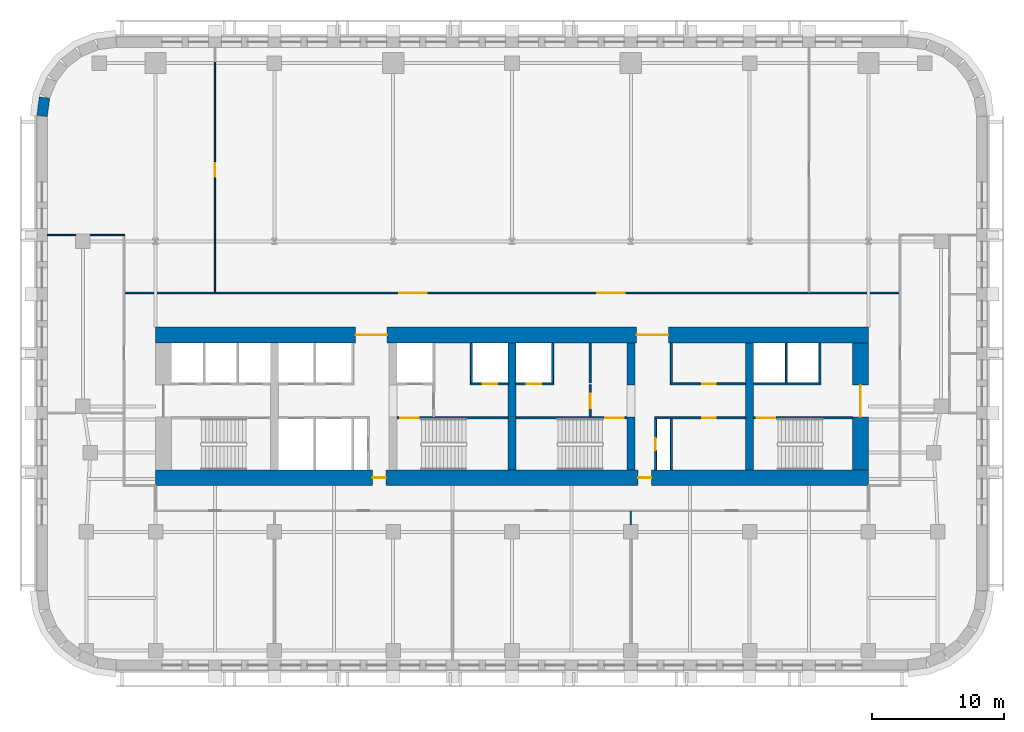
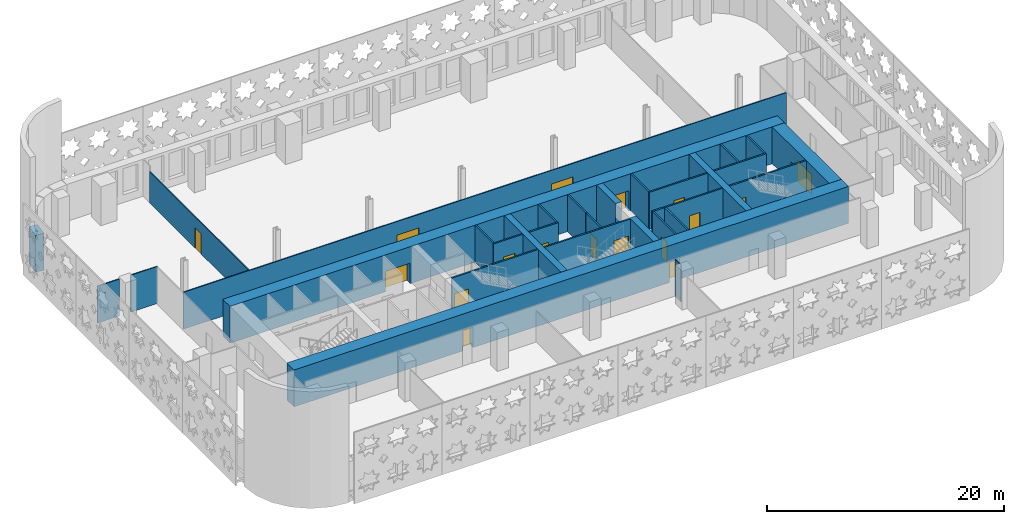
# One storey, part 5 of 13: 30 walls, 17 doors, 17 openings.
"""IFC4 building model written with IfcOpenShell, lengths in metres."""

from ifc_helpers import new_model, si_unit, direction, frame, frame_2d, origin, place, context, subcontext, project, spatial, rectangle, extrude, material, layer, layer_set, type_object, element, fill, save


model = new_model("IFC4")

# Units and contexts
model_context = context("Model", 3, precision=1e-05, world=origin(), true_north=direction((0.0, 1.0)))
body_context = subcontext(model_context, "Body", "Model", "MODEL_VIEW")
ifc_project = project(units=[si_unit("LENGTHUNIT", "METRE"), si_unit("AREAUNIT", "SQUARE_METRE"), si_unit("VOLUMEUNIT", "CUBIC_METRE"), si_unit("PLANEANGLEUNIT", "RADIAN"), si_unit("MASSUNIT", "GRAM", prefix="KILO")], contexts=[model_context])

# Site, building, storey
site_placement = place(None, origin())
site = spatial("IfcSite", under=ifc_project, at=site_placement, CompositionType="ELEMENT")
building_placement = place(site_placement, origin())
building = spatial("IfcBuilding", under=site, at=building_placement, Name="Zellij Exchange Tower", CompositionType="ELEMENT")
storey_placement = place(building_placement, frame((0.0, 0.0, 52.5)))
storey = spatial("IfcBuildingStorey", under=building, at=storey_placement, Name="L09", CompositionType="ELEMENT", Elevation=52.5)

# Walls
ifc_material_1 = material(Name="Concrete C70/85", Category="concrete")
ifc_layer_1 = layer(ifc_material_1, 0.60009765625)
ifc_layer_set_1 = layer_set([ifc_layer_1], Name="Concrete C70/85")
wall_type_1 = type_object("IfcWallType", Name="CORE-CW 600 C70/85", PredefinedType="SHEAR", material=ifc_layer_set_1)
wall_1_placement = place(storey_placement, frame((0.0, -12.800048828125, 0.0), z_axis=(0.0, 0.0, 1.0), x_axis=(0.0, 1.0, 0.0)))
element("IfcWall", 1, at=wall_1_placement, inside=storey, type_object=wall_type_1, Name="Core cross wall x 0 L09", PredefinedType="SHEAR", context=body_context, shape_type="SweptSolid", body=[
    extrude(rectangle(XDim=9.60009765625, YDim=0.60009765625, at=frame_2d((4.800048828125, 0.0))), origin(), (0.0, 0.0, 1.0), 3.800048828125),
])
wall_2_placement = place(storey_placement, frame((9.0, -12.800048828125, 0.0), z_axis=(0.0, 0.0, 1.0), x_axis=(0.0, 1.0, 0.0)))
element("IfcWall", 2, at=wall_2_placement, inside=storey, type_object=wall_type_1, Name="Core cross wall pier x 9 a L09", PredefinedType="SHEAR", context=body_context, shape_type="SweptSolid", body=[
    extrude(rectangle(XDim=4.0, YDim=0.60009765625, at=frame_2d((2.0, 0.0))), origin(), (0.0, 0.0, 1.0), 3.800048828125),
])
wall_3_placement = place(storey_placement, frame((9.0, -6.375, 0.0), z_axis=(0.0, 0.0, 1.0), x_axis=(0.0, 1.0, 0.0)))
element("IfcWall", 3, at=wall_3_placement, inside=storey, type_object=wall_type_1, Name="Core cross wall pier x 9 b L09", PredefinedType="SHEAR", context=body_context, shape_type="SweptSolid", body=[
    extrude(rectangle(XDim=3.175048828125, YDim=0.60009765625, at=frame_2d((1.58740234375, 0.0))), origin(), (0.0, 0.0, 1.0), 3.800048828125),
])
wall_4_placement = place(storey_placement, frame((18.0, -12.800048828125, 0.0), z_axis=(0.0, 0.0, 1.0), x_axis=(0.0, 1.0, 0.0)))
element("IfcWall", 4, at=wall_4_placement, inside=storey, type_object=wall_type_1, Name="Core cross wall x 18 L09", PredefinedType="SHEAR", context=body_context, shape_type="SweptSolid", body=[
    extrude(rectangle(XDim=9.60009765625, YDim=0.60009765625, at=frame_2d((4.800048828125, 0.0))), origin(), (0.0, 0.0, 1.0), 3.800048828125),
])

# Wall, opening, door
ifc_material_2 = material(Name="Gypsum shaft wall system")
ifc_layer_2 = layer(ifc_material_2, 0.14990234375)
ifc_layer_set_2 = layer_set([ifc_layer_2], Name="Gypsum shaft wall system")
wall_type_2 = type_object("IfcWallType", Name="CORE-PW 150 Firefighting lobby wall", PredefinedType="PARTITIONING", material=ifc_layer_set_2)
wall_5_placement = place(storey_placement, frame((5.925048828125, -8.800048828125, 0.0), z_axis=(0.0, 0.0, 1.0), x_axis=(0.0, 1.0, 0.0)))
wall_5 = element("IfcWall", 5, at=wall_5_placement, inside=storey, type_object=wall_type_2, Name="Firefighting lobby wall L09", PredefinedType="PARTITIONING", context=body_context, shape_type="SweptSolid", body=[
    extrude(rectangle(XDim=2.425048828125, YDim=0.14990234375, at=frame_2d((1.21240234375, 0.0))), origin(), (0.0, 0.0, 1.0), 3.800048828125),
])
opening_1_placement = place(wall_5_placement, frame((0.662109375, 0.0, 0.0)))
opening_1 = element("IfcOpeningElement", 6, at=opening_1_placement, cuts=wall_5, Name="Opening CA-07.18", PredefinedType="OPENING", context=body_context, shape_type="SweptSolid", body=[
    extrude(rectangle(XDim=1.10009765625, YDim=2.10009765625, at=frame_2d((0.550048828125, 1.050048828125))), frame((0.0, 0.0869140625, 0.0), z_axis=(0.0, -1.0, 0.0), x_axis=(1.0, 0.0, 0.0)), (0.0, 0.0, 1.0), 0.173828125),
])
ifc_material_3 = material(Name="Hollow metal fire door")
door_type_1 = type_object("IfcDoorType", Name="CORE-D F Firefighting lobby door 1100x2100 1 HR", OperationType="NOTDEFINED", PredefinedType="DOOR", material=ifc_material_3)
door_1_placement = place(opening_1_placement, origin())
door_1 = element("IfcDoor", 7, at=door_1_placement, inside=storey, type_object=door_type_1, Name="Firefighting lobby door CA-07.18", OperationType="SINGLE_SWING_RIGHT", OverallHeight=2.10009765625, OverallWidth=1.10009765625, PredefinedType="DOOR", context=body_context, shape_type="SweptSolid", body=[
    extrude(rectangle(XDim=1.10009765625, YDim=2.10009765625, at=frame_2d((0.550048828125, 1.050048828125))), frame((0.0, 0.02490234375, 0.0), z_axis=(0.0, -1.0, 0.0), x_axis=(1.0, 0.0, 0.0)), (0.0, 0.0, 1.0), 0.050048828125),
])
fill(opening_1, door_1)

# Walls
ifc_material_4 = material(Name="Gypsum board partition")
ifc_layer_3 = layer(ifc_material_4, 0.14990234375)
ifc_layer_set_3 = layer_set([ifc_layer_3], Name="Gypsum board partition")
wall_type_3 = type_object("IfcWallType", Name="CORE-PW 150 Lift lobby wall", PredefinedType="PARTITIONING", material=ifc_layer_set_3)
for number, where, z_axis, x_axis, name in (
    (8, (5.925048828125, -6.22509765625, 0.0), (0.0, 0.0, 1.0), (0.0, 1.0, 0.0), "Lift lobby wall L09"),
    (9, (12.074951171875, -6.22509765625, 0.0), (0.0, 0.0, 1.0), (0.0, 1.0, 0.0), "Lift lobby wall L09"),
):
    element("IfcWall", number, at=place(storey_placement, frame(where, z_axis=z_axis, x_axis=x_axis)), inside=storey, type_object=wall_type_3, Name=name, PredefinedType="PARTITIONING", context=body_context, shape_type="SweptSolid", body=[
        extrude(rectangle(XDim=3.025146484375, YDim=0.14990234375, at=frame_2d((1.5126953125, 0.0))), origin(), (0.0, 0.0, 1.0), 3.800048828125),
    ])

# Wall, opening, door
wall_6_placement = place(storey_placement, frame((10.875, -12.800048828125, 0.0), z_axis=(0.0, 0.0, 1.0), x_axis=(0.0, 1.0, 0.0)))
wall_6 = element("IfcWall", 10, at=wall_6_placement, inside=storey, type_object=wall_type_3, Name="Lift lobby wall L09", PredefinedType="PARTITIONING", context=body_context, shape_type="SweptSolid", body=[
    extrude(rectangle(XDim=3.85009765625, YDim=0.14990234375, at=frame_2d((1.925048828125, 0.0))), origin(), (0.0, 0.0, 1.0), 3.800048828125),
])
opening_2_placement = place(wall_6_placement, frame((1.47509765625, 0.0, 0.0)))
opening_2 = element("IfcOpeningElement", 11, at=opening_2_placement, cuts=wall_6, Name="Opening CA-07.22", PredefinedType="OPENING", context=body_context, shape_type="SweptSolid", body=[
    extrude(rectangle(XDim=0.89990234375, YDim=2.10009765625, at=frame_2d((0.449951171875, 1.050048828125))), frame((0.0, 0.0869140625, 0.0), z_axis=(0.0, -1.0, 0.0), x_axis=(1.0, 0.0, 0.0)), (0.0, 0.0, 1.0), 0.173828125),
])
door_type_2 = type_object("IfcDoorType", Name="CORE-D RD Riser door 900x2100 1.5 HR", OperationType="NOTDEFINED", PredefinedType="DOOR", material=ifc_material_3)
door_2_placement = place(opening_2_placement, origin())
door_2 = element("IfcDoor", 12, at=door_2_placement, inside=storey, type_object=door_type_2, Name="Riser door CA-07.22", OperationType="SINGLE_SWING_LEFT", OverallHeight=2.10009765625, OverallWidth=0.89990234375, PredefinedType="DOOR", context=body_context, shape_type="SweptSolid", body=[
    extrude(rectangle(XDim=0.89990234375, YDim=2.10009765625, at=frame_2d((0.449951171875, 1.050048828125))), frame((0.0, 0.02490234375, 0.0), z_axis=(0.0, -1.0, 0.0), x_axis=(1.0, 0.0, 0.0)), (0.0, 0.0, 1.0), 0.050048828125),
])
fill(opening_2, door_2)

# Wall
wall_7_placement = place(storey_placement, frame((12.074951171875, -12.800048828125, 0.0), z_axis=(0.0, 0.0, 1.0), x_axis=(0.0, 1.0, 0.0)))
element("IfcWall", 13, at=wall_7_placement, inside=storey, type_object=wall_type_3, Name="Lift lobby wall L09", PredefinedType="PARTITIONING", context=body_context, shape_type="SweptSolid", body=[
    extrude(rectangle(XDim=3.85009765625, YDim=0.14990234375, at=frame_2d((1.925048828125, 0.0))), origin(), (0.0, 0.0, 1.0), 3.800048828125),
])

# Wall, opening, door
wall_8_placement = place(storey_placement, frame((12.0, -6.300048828125, 0.0), z_axis=(0.0, 0.0, 1.0), x_axis=(1.0, 0.0, 0.0)))
wall_8 = element("IfcWall", 14, at=wall_8_placement, inside=storey, type_object=wall_type_3, Name="Lift lobby wall L09", PredefinedType="PARTITIONING", context=body_context, shape_type="SweptSolid", body=[
    extrude(rectangle(XDim=5.699951171875, YDim=0.14990234375, at=frame_2d((2.85009765625, 0.0))), origin(), (0.0, 0.0, 1.0), 3.800048828125),
])
opening_3_placement = place(wall_8_placement, frame((2.425048828125, 0.0, 0.0)))
opening_3 = element("IfcOpeningElement", 15, at=opening_3_placement, cuts=wall_8, Name="Opening CA-07.24", PredefinedType="OPENING", context=body_context, shape_type="SweptSolid", body=[
    extrude(rectangle(XDim=1.0, YDim=2.10009765625, at=frame_2d((0.5, 1.050048828125))), frame((0.0, 0.0869140625, 0.0), z_axis=(0.0, -1.0, 0.0), x_axis=(1.0, 0.0, 0.0)), (0.0, 0.0, 1.0), 0.173828125),
])
door_type_3 = type_object("IfcDoorType", Name="CORE-D CD Core room door 1000x2100 1 HR", OperationType="NOTDEFINED", PredefinedType="DOOR", material=ifc_material_3)
door_3_placement = place(opening_3_placement, origin())
door_3 = element("IfcDoor", 16, at=door_3_placement, inside=storey, type_object=door_type_3, Name="Core room door CA-07.24", OperationType="SINGLE_SWING_RIGHT", OverallHeight=2.10009765625, OverallWidth=1.0, PredefinedType="DOOR", context=body_context, shape_type="SweptSolid", body=[
    extrude(rectangle(XDim=1.0, YDim=2.10009765625, at=frame_2d((0.5, 1.050048828125))), frame((0.0, 0.02490234375, 0.0), z_axis=(0.0, -1.0, 0.0), x_axis=(1.0, 0.0, 0.0)), (0.0, 0.0, 1.0), 0.050048828125),
])
fill(opening_3, door_3)

wall_9_placement = place(storey_placement, frame((10.800048828125, -8.875, 0.0), z_axis=(0.0, 0.0, 1.0), x_axis=(1.0, 0.0, 0.0)))
wall_9 = element("IfcWall", 17, at=wall_9_placement, inside=storey, type_object=wall_type_3, Name="Lift lobby wall L09", PredefinedType="PARTITIONING", context=body_context, shape_type="SweptSolid", body=[
    extrude(rectangle(XDim=6.89990234375, YDim=0.14990234375, at=frame_2d((3.449951171875, 0.0))), origin(), (0.0, 0.0, 1.0), 3.800048828125),
])
opening_4_placement = place(wall_9_placement, frame((3.625, 0.0, 0.0)))
opening_4 = element("IfcOpeningElement", 18, at=opening_4_placement, cuts=wall_9, Name="Opening CA-07.23", PredefinedType="OPENING", context=body_context, shape_type="SweptSolid", body=[
    extrude(rectangle(XDim=1.0, YDim=2.10009765625, at=frame_2d((0.5, 1.050048828125))), frame((0.0, 0.0869140625, 0.0), z_axis=(0.0, -1.0, 0.0), x_axis=(1.0, 0.0, 0.0)), (0.0, 0.0, 1.0), 0.173828125),
])
door_4_placement = place(opening_4_placement, origin())
door_4 = element("IfcDoor", 19, at=door_4_placement, inside=storey, type_object=door_type_3, Name="Core room door CA-07.23", OperationType="SINGLE_SWING_LEFT", OverallHeight=2.10009765625, OverallWidth=1.0, PredefinedType="DOOR", context=body_context, shape_type="SweptSolid", body=[
    extrude(rectangle(XDim=1.0, YDim=2.10009765625, at=frame_2d((0.5, 1.050048828125))), frame((0.0, 0.02490234375, 0.0), z_axis=(0.0, -1.0, 0.0), x_axis=(1.0, 0.0, 0.0)), (0.0, 0.0, 1.0), 0.050048828125),
])
fill(opening_4, door_4)

# Walls
ifc_layer_4 = layer(ifc_material_2, 0.14990234375)
ifc_layer_set_4 = layer_set([ifc_layer_4], Name="Gypsum shaft wall system")
wall_type_4 = type_object("IfcWallType", Name="CORE-PW 150 Lift shaft wall", PredefinedType="PARTITIONING", material=ifc_layer_set_4)
for number, where, z_axis, x_axis, name in (
    (20, (-3.074951171875, -6.22509765625, 0.0), (0.0, 0.0, 1.0), (0.0, 1.0, 0.0), "Lift shaft wall L09"),
    (21, (3.074951171875, -6.22509765625, 0.0), (0.0, 0.0, 1.0), (0.0, 1.0, 0.0), "Lift shaft wall L09"),
    (22, (20.77490234375, -6.22509765625, 0.0), (0.0, 0.0, 1.0), (0.0, 1.0, 0.0), "Lift shaft wall L09"),
    (23, (23.324951171875, -6.22509765625, 0.0), (0.0, 0.0, 1.0), (0.0, 1.0, 0.0), "Lift shaft wall L09"),
):
    element("IfcWall", number, at=place(storey_placement, frame(where, z_axis=z_axis, x_axis=x_axis)), inside=storey, type_object=wall_type_4, Name=name, PredefinedType="PARTITIONING", context=body_context, shape_type="SweptSolid", body=[
        extrude(rectangle(XDim=3.025146484375, YDim=0.14990234375, at=frame_2d((1.5126953125, 0.0))), origin(), (0.0, 0.0, 1.0), 3.800048828125),
    ])

# Wall, opening, door
wall_10_placement = place(storey_placement, frame((-3.14990234375, -6.300048828125, 0.0), z_axis=(0.0, 0.0, 1.0), x_axis=(1.0, 0.0, 0.0)))
wall_10 = element("IfcWall", 24, at=wall_10_placement, inside=storey, type_object=wall_type_4, Name="Lift shaft wall L09", PredefinedType="PARTITIONING", context=body_context, shape_type="SweptSolid", body=[
    extrude(rectangle(XDim=2.849853515625, YDim=0.14990234375, at=frame_2d((1.4248046875, 0.0))), origin(), (0.0, 0.0, 1.0), 3.800048828125),
])
opening_5_placement = place(wall_10_placement, frame((0.949951171875, 0.0, 0.0)))
opening_5 = element("IfcOpeningElement", 25, at=opening_5_placement, cuts=wall_10, Name="Opening CA-07.16", PredefinedType="OPENING", context=body_context, shape_type="SweptSolid", body=[
    extrude(rectangle(XDim=1.10009765625, YDim=2.10009765625, at=frame_2d((0.550048828125, 1.050048828125))), frame((0.0, 0.0869140625, 0.0), z_axis=(0.0, -1.0, 0.0), x_axis=(1.0, 0.0, 0.0)), (0.0, 0.0, 1.0), 0.173828125),
])
door_type_4 = type_object("IfcDoorType", Name="CORE-D LD Lift landing door 1100x2100 1.5 HR", OperationType="NOTDEFINED", PredefinedType="DOOR", material=ifc_material_3)
door_5_placement = place(opening_5_placement, origin())
door_5 = element("IfcDoor", 26, at=door_5_placement, inside=storey, type_object=door_type_4, Name="Lift landing door CA-07.16", OperationType="SLIDING_TO_RIGHT", OverallHeight=2.10009765625, OverallWidth=1.10009765625, PredefinedType="DOOR", context=body_context, shape_type="SweptSolid", body=[
    extrude(rectangle(XDim=1.10009765625, YDim=2.10009765625, at=frame_2d((0.550048828125, 1.050048828125))), frame((0.0, 0.02490234375, 0.0), z_axis=(0.0, -1.0, 0.0), x_axis=(1.0, 0.0, 0.0)), (0.0, 0.0, 1.0), 0.050048828125),
])
fill(opening_5, door_5)

wall_11_placement = place(storey_placement, frame((0.300048828125, -6.300048828125, 0.0), z_axis=(0.0, 0.0, 1.0), x_axis=(1.0, 0.0, 0.0)))
wall_11 = element("IfcWall", 27, at=wall_11_placement, inside=storey, type_object=wall_type_4, Name="Lift shaft wall L09", PredefinedType="PARTITIONING", context=body_context, shape_type="SweptSolid", body=[
    extrude(rectangle(XDim=2.849853515625, YDim=0.14990234375, at=frame_2d((1.4248046875, 0.0))), origin(), (0.0, 0.0, 1.0), 3.800048828125),
])
opening_6_placement = place(wall_11_placement, frame((0.800048828125, 0.0, 0.0)))
opening_6 = element("IfcOpeningElement", 28, at=opening_6_placement, cuts=wall_11, Name="Opening CA-07.17", PredefinedType="OPENING", context=body_context, shape_type="SweptSolid", body=[
    extrude(rectangle(XDim=1.10009765625, YDim=2.10009765625, at=frame_2d((0.550048828125, 1.050048828125))), frame((0.0, 0.0869140625, 0.0), z_axis=(0.0, -1.0, 0.0), x_axis=(1.0, 0.0, 0.0)), (0.0, 0.0, 1.0), 0.173828125),
])
door_6_placement = place(opening_6_placement, origin())
door_6 = element("IfcDoor", 29, at=door_6_placement, inside=storey, type_object=door_type_4, Name="Lift landing door CA-07.17", OperationType="SLIDING_TO_LEFT", OverallHeight=2.10009765625, OverallWidth=1.10009765625, PredefinedType="DOOR", context=body_context, shape_type="SweptSolid", body=[
    extrude(rectangle(XDim=1.10009765625, YDim=2.10009765625, at=frame_2d((0.550048828125, 1.050048828125))), frame((0.0, 0.02490234375, 0.0), z_axis=(0.0, -1.0, 0.0), x_axis=(1.0, 0.0, 0.0)), (0.0, 0.0, 1.0), 0.050048828125),
])
fill(opening_6, door_6)

# Wall
wall_12_placement = place(storey_placement, frame((18.300048828125, -6.300048828125, 0.0), z_axis=(0.0, 0.0, 1.0), x_axis=(1.0, 0.0, 0.0)))
element("IfcWall", 30, at=wall_12_placement, inside=storey, type_object=wall_type_4, Name="Lift shaft wall L09", PredefinedType="PARTITIONING", context=body_context, shape_type="SweptSolid", body=[
    extrude(rectangle(XDim=5.099853515625, YDim=0.14990234375, at=frame_2d((2.5498046875, 0.0))), origin(), (0.0, 0.0, 1.0), 3.800048828125),
])

# Wall, openings, doors
ifc_layer_5 = layer(ifc_material_1, 1.199951171875)
ifc_layer_set_5 = layer_set([ifc_layer_5], Name="Concrete C70/85")
wall_type_5 = type_object("IfcWallType", Name="CORE-SW 1200 C70/85", PredefinedType="SHEAR", material=ifc_layer_set_5)
wall_13_placement = place(storey_placement, frame((-27.0, -2.60009765625, 0.0), z_axis=(0.0, 0.0, 1.0), x_axis=(1.0, 0.0, 0.0)))
wall_13 = element("IfcWall", 31, at=wall_13_placement, inside=storey, type_object=wall_type_5, Name="Core shear wall front L09", PredefinedType="SHEAR", context=body_context, shape_type="SweptSolid", body=[
    extrude(rectangle(XDim=54.0, YDim=1.199951171875, at=frame_2d((27.0, 0.0))), origin(), (0.0, 0.0, 1.0), 3.800048828125),
])
opening_7_placement = place(wall_13_placement, frame((15.14990234375, 0.0, 0.0)))
opening_7 = element("IfcOpeningElement", 32, at=opening_7_placement, cuts=wall_13, Name="Opening CA-07.11", PredefinedType="OPENING", context=body_context, shape_type="SweptSolid", body=[
    extrude(rectangle(XDim=2.39990234375, YDim=2.10009765625, at=frame_2d((1.199951171875, 1.050048828125))), frame((0.0, 0.61181640625, 0.0), z_axis=(0.0, -1.0, 0.0), x_axis=(1.0, 0.0, 0.0)), (0.0, 0.0, 1.0), 1.223876953125),
])
opening_8_placement = place(wall_13_placement, frame((36.449951171875, 0.0, 0.0)))
opening_8 = element("IfcOpeningElement", 33, at=opening_8_placement, cuts=wall_13, Name="Opening CA-07.21", PredefinedType="OPENING", context=body_context, shape_type="SweptSolid", body=[
    extrude(rectangle(XDim=2.39990234375, YDim=2.10009765625, at=frame_2d((1.199951171875, 1.050048828125))), frame((0.0, 0.61181640625, 0.0), z_axis=(0.0, -1.0, 0.0), x_axis=(1.0, 0.0, 0.0)), (0.0, 0.0, 1.0), 1.223876953125),
])
door_type_5 = type_object("IfcDoorType", Name="CORE-D CE Core entrance door 2400x2100 20 MIN", OperationType="NOTDEFINED", PredefinedType="DOOR", material=ifc_material_3)
door_7_placement = place(opening_7_placement, origin())
door_7 = element("IfcDoor", 34, at=door_7_placement, inside=storey, type_object=door_type_5, Name="Core entrance door CA-07.11", OperationType="DOUBLE_DOOR_SINGLE_SWING", OverallHeight=2.10009765625, OverallWidth=2.39990234375, PredefinedType="DOOR", context=body_context, shape_type="SweptSolid", body=[
    extrude(rectangle(XDim=2.39990234375, YDim=2.10009765625, at=frame_2d((1.199951171875, 1.050048828125))), frame((0.0, 0.02490234375, 0.0), z_axis=(0.0, -1.0, 0.0), x_axis=(1.0, 0.0, 0.0)), (0.0, 0.0, 1.0), 0.050048828125),
])
fill(opening_7, door_7)
door_8_placement = place(opening_8_placement, origin())
door_8 = element("IfcDoor", 35, at=door_8_placement, inside=storey, type_object=door_type_5, Name="Core entrance door CA-07.21", OperationType="DOUBLE_DOOR_SINGLE_SWING", OverallHeight=2.10009765625, OverallWidth=2.39990234375, PredefinedType="DOOR", context=body_context, shape_type="SweptSolid", body=[
    extrude(rectangle(XDim=2.39990234375, YDim=2.10009765625, at=frame_2d((1.199951171875, 1.050048828125))), frame((0.0, 0.02490234375, 0.0), z_axis=(0.0, -1.0, 0.0), x_axis=(1.0, 0.0, 0.0)), (0.0, 0.0, 1.0), 0.050048828125),
])
fill(opening_8, door_8)

wall_14_placement = place(storey_placement, frame((-27.0, -13.39990234375, 0.0), z_axis=(0.0, 0.0, 1.0), x_axis=(1.0, 0.0, 0.0)))
wall_14 = element("IfcWall", 36, at=wall_14_placement, inside=storey, type_object=wall_type_5, Name="Core shear wall rear L09", PredefinedType="SHEAR", context=body_context, shape_type="SweptSolid", body=[
    extrude(rectangle(XDim=54.0, YDim=1.199951171875, at=frame_2d((27.0, 0.0))), origin(), (0.0, 0.0, 1.0), 3.800048828125),
])
opening_9_placement = place(wall_14_placement, frame((16.449951171875, 0.0, 0.0)))
opening_9 = element("IfcOpeningElement", 37, at=opening_9_placement, cuts=wall_14, Name="Opening CA-07.12", PredefinedType="OPENING", context=body_context, shape_type="SweptSolid", body=[
    extrude(rectangle(XDim=1.0, YDim=2.10009765625, at=frame_2d((0.5, 1.050048828125))), frame((0.0, 0.61181640625, 0.0), z_axis=(0.0, -1.0, 0.0), x_axis=(1.0, 0.0, 0.0)), (0.0, 0.0, 1.0), 1.223876953125),
])
opening_10_placement = place(wall_14_placement, frame((36.550048828125, 0.0, 0.0)))
opening_10 = element("IfcOpeningElement", 38, at=opening_10_placement, cuts=wall_14, Name="Opening CA-07.20", PredefinedType="OPENING", context=body_context, shape_type="SweptSolid", body=[
    extrude(rectangle(XDim=1.0, YDim=2.10009765625, at=frame_2d((0.5, 1.050048828125))), frame((0.0, 0.61181640625, 0.0), z_axis=(0.0, -1.0, 0.0), x_axis=(1.0, 0.0, 0.0)), (0.0, 0.0, 1.0), 1.223876953125),
])
door_type_6 = type_object("IfcDoorType", Name="CORE-D CR Core rear door 1000x2100 20 MIN", OperationType="NOTDEFINED", PredefinedType="DOOR", material=ifc_material_3)
door_9_placement = place(opening_9_placement, origin())
door_9 = element("IfcDoor", 39, at=door_9_placement, inside=storey, type_object=door_type_6, Name="Core rear door CA-07.12", OperationType="SINGLE_SWING_RIGHT", OverallHeight=2.10009765625, OverallWidth=1.0, PredefinedType="DOOR", context=body_context, shape_type="SweptSolid", body=[
    extrude(rectangle(XDim=1.0, YDim=2.10009765625, at=frame_2d((0.5, 1.050048828125))), frame((0.0, 0.02490234375, 0.0), z_axis=(0.0, -1.0, 0.0), x_axis=(1.0, 0.0, 0.0)), (0.0, 0.0, 1.0), 0.050048828125),
])
fill(opening_9, door_9)
door_10_placement = place(opening_10_placement, origin())
door_10 = element("IfcDoor", 40, at=door_10_placement, inside=storey, type_object=door_type_6, Name="Core rear door CA-07.20", OperationType="SINGLE_SWING_LEFT", OverallHeight=2.10009765625, OverallWidth=1.0, PredefinedType="DOOR", context=body_context, shape_type="SweptSolid", body=[
    extrude(rectangle(XDim=1.0, YDim=2.10009765625, at=frame_2d((0.5, 1.050048828125))), frame((0.0, 0.02490234375, 0.0), z_axis=(0.0, -1.0, 0.0), x_axis=(1.0, 0.0, 0.0)), (0.0, 0.0, 1.0), 0.050048828125),
])
fill(opening_10, door_10)

# Wall, opening, door
wall_15_placement = place(storey_placement, frame((26.39990234375, -12.800048828125, 0.0), z_axis=(0.0, 0.0, 1.0), x_axis=(0.0, 1.0, 0.0)))
wall_15 = element("IfcWall", 41, at=wall_15_placement, inside=storey, type_object=wall_type_5, Name="Core shear wall end e L09", PredefinedType="SHEAR", context=body_context, shape_type="SweptSolid", body=[
    extrude(rectangle(XDim=9.60009765625, YDim=1.199951171875, at=frame_2d((4.800048828125, 0.0))), origin(), (0.0, 0.0, 1.0), 3.800048828125),
])
opening_11_placement = place(wall_15_placement, frame((4.011962890625, 0.0, 0.0)))
opening_11 = element("IfcOpeningElement", 42, at=opening_11_placement, cuts=wall_15, Name="Opening CA-07.26", PredefinedType="OPENING", context=body_context, shape_type="SweptSolid", body=[
    extrude(rectangle(XDim=2.39990234375, YDim=2.10009765625, at=frame_2d((1.199951171875, 1.050048828125))), frame((0.0, 0.61181640625, 0.0), z_axis=(0.0, -1.0, 0.0), x_axis=(1.0, 0.0, 0.0)), (0.0, 0.0, 1.0), 1.223876953125),
])
door_11_placement = place(opening_11_placement, origin())
door_11 = element("IfcDoor", 43, at=door_11_placement, inside=storey, type_object=door_type_5, Name="Core entrance door CA-07.26", OperationType="DOUBLE_DOOR_SINGLE_SWING", OverallHeight=2.10009765625, OverallWidth=2.39990234375, PredefinedType="DOOR", context=body_context, shape_type="SweptSolid", body=[
    extrude(rectangle(XDim=2.39990234375, YDim=2.10009765625, at=frame_2d((1.199951171875, 1.050048828125))), frame((0.0, 0.02490234375, 0.0), z_axis=(0.0, -1.0, 0.0), x_axis=(1.0, 0.0, 0.0)), (0.0, 0.0, 1.0), 0.050048828125),
])
fill(opening_11, door_11)

ifc_layer_6 = layer(ifc_material_1, 0.14990234375)
ifc_layer_set_6 = layer_set([ifc_layer_6], Name="Concrete C70/85")
wall_type_6 = type_object("IfcWallType", Name="CORE-SWS 150 C70/85", PredefinedType="SHEAR", material=ifc_layer_set_6)
wall_16_placement = place(storey_placement, frame((-8.699951171875, -8.875, 0.0), z_axis=(0.0, 0.0, 1.0), x_axis=(1.0, 0.0, 0.0)))
wall_16 = element("IfcWall", 44, at=wall_16_placement, inside=storey, type_object=wall_type_6, Name="Stair enclosure wall L09", PredefinedType="SHEAR", context=body_context, shape_type="SweptSolid", body=[
    extrude(rectangle(XDim=8.39990234375, YDim=0.14990234375, at=frame_2d((4.199951171875, 0.0))), origin(), (0.0, 0.0, 1.0), 3.800048828125),
])
opening_12_placement = place(wall_16_placement, frame((0.22509765625, 0.0, 0.0)))
opening_12 = element("IfcOpeningElement", 45, at=opening_12_placement, cuts=wall_16, Name="Opening CA-07.13", PredefinedType="OPENING", context=body_context, shape_type="SweptSolid", body=[
    extrude(rectangle(XDim=1.39990234375, YDim=2.10009765625, at=frame_2d((0.699951171875, 1.050048828125))), frame((0.0, 0.0869140625, 0.0), z_axis=(0.0, -1.0, 0.0), x_axis=(1.0, 0.0, 0.0)), (0.0, 0.0, 1.0), 0.173828125),
])
door_type_7 = type_object("IfcDoorType", Name="CORE-D SD Stair door 1400x2100 1.5 HR", OperationType="NOTDEFINED", PredefinedType="DOOR", material=ifc_material_3)
door_12_placement = place(opening_12_placement, origin())
door_12 = element("IfcDoor", 46, at=door_12_placement, inside=storey, type_object=door_type_7, Name="Stair door CA-07.13", OperationType="DOUBLE_DOOR_SINGLE_SWING", OverallHeight=2.10009765625, OverallWidth=1.39990234375, PredefinedType="DOOR", context=body_context, shape_type="SweptSolid", body=[
    extrude(rectangle(XDim=1.39990234375, YDim=2.10009765625, at=frame_2d((0.699951171875, 1.050048828125))), frame((0.0, 0.02490234375, 0.0), z_axis=(0.0, -1.0, 0.0), x_axis=(1.0, 0.0, 0.0)), (0.0, 0.0, 1.0), 0.050048828125),
])
fill(opening_12, door_12)

wall_17_placement = place(storey_placement, frame((0.300048828125, -8.875, 0.0), z_axis=(0.0, 0.0, 1.0), x_axis=(1.0, 0.0, 0.0)))
wall_17 = element("IfcWall", 47, at=wall_17_placement, inside=storey, type_object=wall_type_6, Name="Stair enclosure wall L09", PredefinedType="SHEAR", context=body_context, shape_type="SweptSolid", body=[
    extrude(rectangle(XDim=8.39990234375, YDim=0.14990234375, at=frame_2d((4.199951171875, 0.0))), origin(), (0.0, 0.0, 1.0), 3.800048828125),
])
opening_13_placement = place(wall_17_placement, frame((6.77490234375, 0.0, 0.0)))
opening_13 = element("IfcOpeningElement", 48, at=opening_13_placement, cuts=wall_17, Name="Opening CA-07.19", PredefinedType="OPENING", context=body_context, shape_type="SweptSolid", body=[
    extrude(rectangle(XDim=1.39990234375, YDim=2.10009765625, at=frame_2d((0.699951171875, 1.050048828125))), frame((0.0, 0.0869140625, 0.0), z_axis=(0.0, -1.0, 0.0), x_axis=(1.0, 0.0, 0.0)), (0.0, 0.0, 1.0), 0.173828125),
])
door_13_placement = place(opening_13_placement, origin())
door_13 = element("IfcDoor", 49, at=door_13_placement, inside=storey, type_object=door_type_7, Name="Stair door CA-07.19", OperationType="DOUBLE_DOOR_SINGLE_SWING", OverallHeight=2.10009765625, OverallWidth=1.39990234375, PredefinedType="DOOR", context=body_context, shape_type="SweptSolid", body=[
    extrude(rectangle(XDim=1.39990234375, YDim=2.10009765625, at=frame_2d((0.699951171875, 1.050048828125))), frame((0.0, 0.02490234375, 0.0), z_axis=(0.0, -1.0, 0.0), x_axis=(1.0, 0.0, 0.0)), (0.0, 0.0, 1.0), 0.050048828125),
])
fill(opening_13, door_13)

wall_18_placement = place(storey_placement, frame((18.300048828125, -8.875, 0.0), z_axis=(0.0, 0.0, 1.0), x_axis=(1.0, 0.0, 0.0)))
wall_18 = element("IfcWall", 50, at=wall_18_placement, inside=storey, type_object=wall_type_6, Name="Stair enclosure wall L09", PredefinedType="SHEAR", context=body_context, shape_type="SweptSolid", body=[
    extrude(rectangle(XDim=7.5, YDim=0.14990234375, at=frame_2d((3.75, 0.0))), origin(), (0.0, 0.0, 1.0), 3.800048828125),
])
opening_14_placement = place(wall_18_placement, frame((0.22509765625, 0.0, 0.0)))
opening_14 = element("IfcOpeningElement", 51, at=opening_14_placement, cuts=wall_18, Name="Opening CA-07.25", PredefinedType="OPENING", context=body_context, shape_type="SweptSolid", body=[
    extrude(rectangle(XDim=1.39990234375, YDim=2.10009765625, at=frame_2d((0.699951171875, 1.050048828125))), frame((0.0, 0.0869140625, 0.0), z_axis=(0.0, -1.0, 0.0), x_axis=(1.0, 0.0, 0.0)), (0.0, 0.0, 1.0), 0.173828125),
])
door_14_placement = place(opening_14_placement, origin())
door_14 = element("IfcDoor", 52, at=door_14_placement, inside=storey, type_object=door_type_7, Name="Stair door CA-07.25", OperationType="DOUBLE_DOOR_SINGLE_SWING", OverallHeight=2.10009765625, OverallWidth=1.39990234375, PredefinedType="DOOR", context=body_context, shape_type="SweptSolid", body=[
    extrude(rectangle(XDim=1.39990234375, YDim=2.10009765625, at=frame_2d((0.699951171875, 1.050048828125))), frame((0.0, 0.02490234375, 0.0), z_axis=(0.0, -1.0, 0.0), x_axis=(1.0, 0.0, 0.0)), (0.0, 0.0, 1.0), 0.050048828125),
])
fill(opening_14, door_14)

# Walls
ifc_material_5 = material(Name="Precast concrete C40/50", Category="concrete")
ifc_layer_7 = layer(ifc_material_5, 0.800048828125)
ifc_layer_set_7 = layer_set([ifc_layer_7], Name="Precast concrete C40/50")
wall_type_7 = type_object("IfcWallType", Name="ENV-EW1 Precast stone-piered wall 800", PredefinedType="SOLIDWALL", material=ifc_layer_set_7)
wall_19_placement = place(storey_placement, frame((-35.412841796875, 15.396240234375, 0.0), z_axis=(0.0, 0.0, 1.0), x_axis=(-0.130517283865, -0.99144603414, 0.0)))
element("IfcWall", 53, at=wall_19_placement, inside=storey, type_object=wall_type_7, Name="fac.L09.20", PredefinedType="SOLIDWALL", context=body_context, shape_type="SweptSolid", body=[
    extrude(rectangle(XDim=1.408447265625, YDim=0.800048828125, at=frame_2d((0.7041015625, 0.0))), origin(), (0.0, 0.0, 1.0), 3.800048828125),
])
ifc_material_6 = material(Name="Gypsum board partition on steel studs", Category="steel")
ifc_layer_8 = layer(ifc_material_6, 0.10009765625)
ifc_layer_set_8 = layer_set([ifc_layer_8], Name="Gypsum board partition on steel studs")
wall_type_8 = type_object("IfcWallType", Name="FIT-PARTITION-100", PredefinedType="PARTITIONING", material=ifc_layer_set_8)
wall_20_placement = place(storey_placement, frame((9.0, -16.949951171875, 0.0), z_axis=(0.0, 0.0, 1.0), x_axis=(0.0, 1.0, 0.0)))
element("IfcWall", 54, at=wall_20_placement, inside=storey, type_object=wall_type_8, Name="FIT-PARTITION-100 006", PredefinedType="PARTITIONING", context=body_context, shape_type="SweptSolid", body=[
    extrude(rectangle(XDim=1.0, YDim=0.10009765625, at=frame_2d((0.5, 0.0))), origin(), (0.0, 0.0, 1.0), 3.800048828125),
])

# Wall, openings, doors
wall_21_placement = place(storey_placement, frame((-29.35009765625, 0.60009765625, 0.0), z_axis=(0.0, 0.0, 1.0), x_axis=(1.0, 0.0, 0.0)))
wall_21 = element("IfcWall", 55, at=wall_21_placement, inside=storey, type_object=wall_type_8, Name="FIT-PARTITION-100 021", PredefinedType="PARTITIONING", context=body_context, shape_type="SweptSolid", body=[
    extrude(rectangle(XDim=58.7001953125, YDim=0.10009765625, at=frame_2d((29.35009765625, 0.0))), origin(), (0.0, 0.0, 1.0), 3.800048828125),
])
opening_15_placement = place(wall_21_placement, frame((20.800048828125, 0.0, 0.0)))
opening_15 = element("IfcOpeningElement", 56, at=opening_15_placement, cuts=wall_21, Name="Opening TA.09", PredefinedType="OPENING", context=body_context, shape_type="SweptSolid", body=[
    extrude(rectangle(XDim=2.10009765625, YDim=2.39990234375, at=frame_2d((1.050048828125, 1.199951171875))), frame((0.0, 0.06201171875, 0.0), z_axis=(0.0, -1.0, 0.0), x_axis=(1.0, 0.0, 0.0)), (0.0, 0.0, 1.0), 0.1240234375),
])
opening_16_placement = place(wall_21_placement, frame((35.800048828125, 0.0, 0.0)))
opening_16 = element("IfcOpeningElement", 57, at=opening_16_placement, cuts=wall_21, Name="Opening TA.10", PredefinedType="OPENING", context=body_context, shape_type="SweptSolid", body=[
    extrude(rectangle(XDim=2.10009765625, YDim=2.39990234375, at=frame_2d((1.050048828125, 1.199951171875))), frame((0.0, 0.06201171875, 0.0), z_axis=(0.0, -1.0, 0.0), x_axis=(1.0, 0.0, 0.0)), (0.0, 0.0, 1.0), 0.1240234375),
])
ifc_material_7 = material(Name="Timber door set", Category="wood")
door_type_8 = type_object("IfcDoorType", Name="FIT-D7-ASSEMBLY-2100X2400", OperationType="DOUBLE_DOOR_SINGLE_SWING", PredefinedType="DOOR", material=ifc_material_7)
door_15_placement = place(opening_15_placement, origin())
door_15 = element("IfcDoor", 58, at=door_15_placement, inside=storey, type_object=door_type_8, Name="Door TA.09", OperationType="DOUBLE_DOOR_SINGLE_SWING", OverallHeight=2.39990234375, OverallWidth=2.10009765625, PredefinedType="DOOR", context=body_context, shape_type="SweptSolid", body=[
    extrude(rectangle(XDim=2.10009765625, YDim=2.39990234375, at=frame_2d((1.050048828125, 1.199951171875))), frame((0.0, 0.02490234375, 0.0), z_axis=(0.0, -1.0, 0.0), x_axis=(1.0, 0.0, 0.0)), (0.0, 0.0, 1.0), 0.050048828125),
])
fill(opening_15, door_15)
door_16_placement = place(opening_16_placement, origin())
door_16 = element("IfcDoor", 59, at=door_16_placement, inside=storey, type_object=door_type_8, Name="Door TA.10", OperationType="DOUBLE_DOOR_SINGLE_SWING", OverallHeight=2.39990234375, OverallWidth=2.10009765625, PredefinedType="DOOR", context=body_context, shape_type="SweptSolid", body=[
    extrude(rectangle(XDim=2.10009765625, YDim=2.39990234375, at=frame_2d((1.050048828125, 1.199951171875))), frame((0.0, 0.02490234375, 0.0), z_axis=(0.0, -1.0, 0.0), x_axis=(1.0, 0.0, 0.0)), (0.0, 0.0, 1.0), 0.050048828125),
])
fill(opening_16, door_16)

# Wall, opening, door
wall_22_placement = place(storey_placement, frame((-22.5, 0.64990234375, 0.0), z_axis=(0.0, 0.0, 1.0), x_axis=(0.0, 1.0, 0.0)))
wall_22 = element("IfcWall", 60, at=wall_22_placement, inside=storey, type_object=wall_type_8, Name="FIT-PARTITION-100 022", PredefinedType="PARTITIONING", context=body_context, shape_type="SweptSolid", body=[
    extrude(rectangle(XDim=17.464599609375, YDim=0.10009765625, at=frame_2d((8.732421875, 0.0))), origin(), (0.0, 0.0, 1.0), 3.197998046875),
])
opening_17_placement = place(wall_22_placement, frame((8.75, 0.0, 0.0)))
opening_17 = element("IfcOpeningElement", 61, at=opening_17_placement, cuts=wall_22, Name="Opening TA.12", PredefinedType="OPENING", context=body_context, shape_type="SweptSolid", body=[
    extrude(rectangle(XDim=1.0, YDim=2.10009765625, at=frame_2d((0.5, 1.050048828125))), frame((0.0, 0.06201171875, 0.0), z_axis=(0.0, -1.0, 0.0), x_axis=(1.0, 0.0, 0.0)), (0.0, 0.0, 1.0), 0.1240234375),
])
door_type_9 = type_object("IfcDoorType", Name="FIT-D2-WIDE-1000X2100", OperationType="SINGLE_SWING_LEFT", PredefinedType="DOOR", material=ifc_material_7)
door_17_placement = place(opening_17_placement, origin())
door_17 = element("IfcDoor", 62, at=door_17_placement, inside=storey, type_object=door_type_9, Name="Door TA.12", OperationType="SINGLE_SWING_LEFT", OverallHeight=2.10009765625, OverallWidth=1.0, PredefinedType="DOOR", context=body_context, shape_type="SweptSolid", body=[
    extrude(rectangle(XDim=1.0, YDim=2.10009765625, at=frame_2d((0.5, 1.050048828125))), frame((0.0, 0.02490234375, 0.0), z_axis=(0.0, -1.0, 0.0), x_axis=(1.0, 0.0, 0.0)), (0.0, 0.0, 1.0), 0.050048828125),
])
fill(opening_17, door_17)

# Walls
wall_23_placement = place(storey_placement, frame((-35.199951171875, 4.989990234375, 0.0), z_axis=(0.0, 0.0, 1.0), x_axis=(1.0, 0.0, 0.0)))
element("IfcWall", 63, at=wall_23_placement, inside=storey, type_object=wall_type_8, Name="FIT-PARTITION-100 026", PredefinedType="PARTITIONING", context=body_context, shape_type="SweptSolid", body=[
    extrude(rectangle(XDim=2.14990234375, YDim=0.10009765625, at=frame_2d((1.074951171875, 0.0))), origin(), (0.0, 0.0, 1.0), 3.800048828125),
])
wall_24_placement = place(storey_placement, frame((-31.949951171875, 4.989990234375, 0.0), z_axis=(0.0, 0.0, 1.0), x_axis=(1.0, 0.0, 0.0)))
element("IfcWall", 64, at=wall_24_placement, inside=storey, type_object=wall_type_8, Name="FIT-PARTITION-100 027", PredefinedType="PARTITIONING", context=body_context, shape_type="SweptSolid", body=[
    extrude(rectangle(XDim=2.599853515625, YDim=0.10009765625, at=frame_2d((1.2998046875, 0.0))), origin(), (0.0, 0.0, 1.0), 3.800048828125),
])

save(model, "model.ifc")
